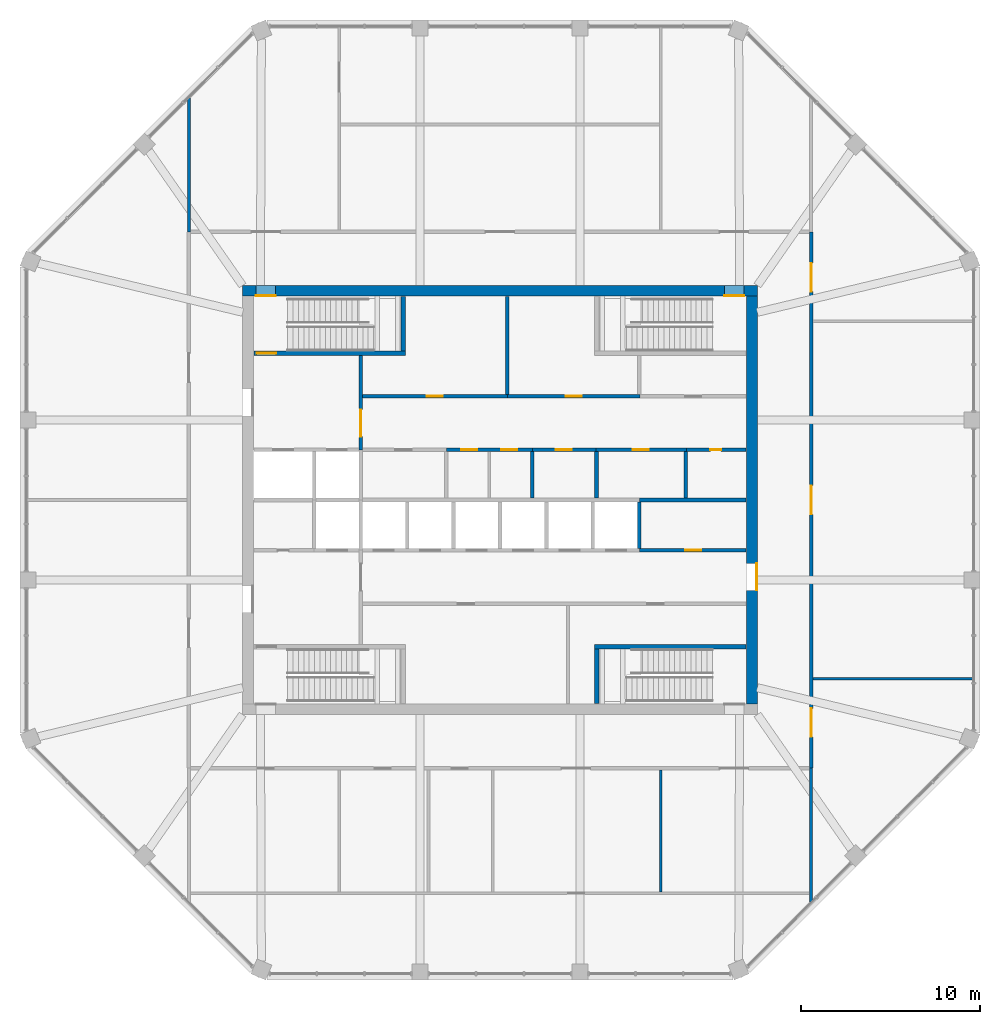
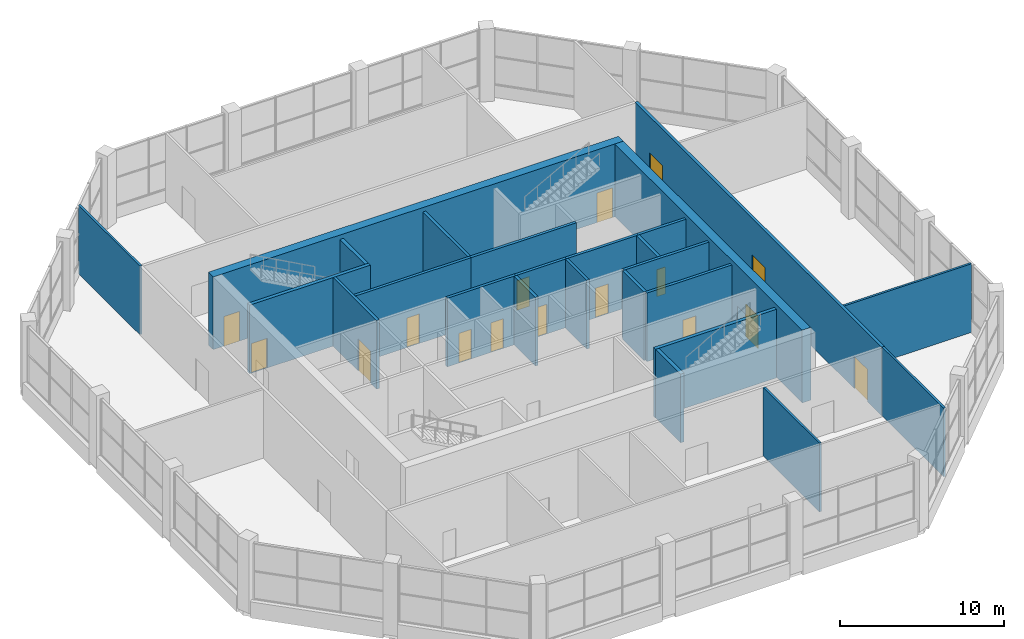
# One storey, part 13 of 15: 25 walls, 16 doors, 16 openings.
"""IFC4 building model written with IfcOpenShell, lengths in metres."""

from ifc_helpers import new_model, si_unit, direction, frame, frame_2d, origin, place, context, subcontext, project, spatial, rectangle, extrude, material, layer, layer_set, type_object, element, fill, save


model = new_model("IFC4")

# Units and contexts
model_context = context("Model", 3, precision=1e-05, world=origin(), true_north=direction((0.0, 1.0)))
body_context = subcontext(model_context, "Body", "Model", "MODEL_VIEW")
ifc_project = project(units=[si_unit("LENGTHUNIT", "METRE"), si_unit("AREAUNIT", "SQUARE_METRE"), si_unit("VOLUMEUNIT", "CUBIC_METRE"), si_unit("PLANEANGLEUNIT", "RADIAN"), si_unit("MASSUNIT", "GRAM", prefix="KILO")], contexts=[model_context])

# Site, building, storey
site_placement = place(None, origin())
site = spatial("IfcSite", under=ifc_project, at=site_placement, CompositionType="ELEMENT")
building_placement = place(site_placement, origin())
building = spatial("IfcBuilding", under=site, at=building_placement, Name="Msitu Wima Residences", CompositionType="ELEMENT")
storey_placement = place(building_placement, frame((0.0, 0.0, 314.699951171875)))
storey = spatial("IfcBuildingStorey", under=building, at=storey_placement, Name="L73", CompositionType="ELEMENT", Elevation=314.699951171875)

# Wall, openings, doors
ifc_material_1 = material(Name="Concrete C50/60", Category="concrete")
ifc_layer_1 = layer(ifc_material_1, 0.60009765625)
ifc_layer_set_1 = layer_set([ifc_layer_1], Name="Concrete C50/60")
wall_type_1 = type_object("IfcWallType", Name="Core wall CW600 C50/60", PredefinedType="SHEAR", material=ifc_layer_set_1)
wall_1_placement = place(storey_placement, frame((-14.39990234375, 11.699951171875, 0.0), z_axis=(0.0, 0.0, 1.0), x_axis=(1.0, 0.0, 0.0)))
wall_1 = element("IfcWall", 1, at=wall_1_placement, inside=storey, type_object=wall_type_1, Name="Core wall", PredefinedType="SHEAR", context=body_context, shape_type="SweptSolid", body=[
    extrude(rectangle(XDim=28.7998046875, YDim=0.60009765625, at=frame_2d((14.39990234375, 0.0))), origin(), (0.0, 0.0, 1.0), 5.400146484375),
])
opening_1_placement = place(wall_1_placement, frame((0.75, 0.0, 0.0)))
opening_1 = element("IfcOpeningElement", 2, at=opening_1_placement, cuts=wall_1, Name="Opening D73.036", PredefinedType="OPENING", context=body_context, shape_type="SweptSolid", body=[
    extrude(rectangle(XDim=1.10009765625, YDim=2.199951171875, at=frame_2d((0.550048828125, 1.10009765625))), frame((0.0, 0.31005859375, 0.0), z_axis=(0.0, -1.0, 0.0), x_axis=(1.0, 0.0, 0.0)), (0.0, 0.0, 1.0), 0.6201171875),
])
opening_2_placement = place(wall_1_placement, frame((26.949951171875, 0.0, 0.0)))
opening_2 = element("IfcOpeningElement", 3, at=opening_2_placement, cuts=wall_1, Name="Opening D73.038", PredefinedType="OPENING", context=body_context, shape_type="SweptSolid", body=[
    extrude(rectangle(XDim=1.10009765625, YDim=2.199951171875, at=frame_2d((0.550048828125, 1.10009765625))), frame((0.0, 0.31005859375, 0.0), z_axis=(0.0, -1.0, 0.0), x_axis=(1.0, 0.0, 0.0)), (0.0, 0.0, 1.0), 0.6201171875),
])
ifc_material_2 = material(Name="Steel door, fire resisting, panic bar", Category="steel")
door_type_1 = type_object("IfcDoorType", Name="Stair door D06 1100x2200", OperationType="SINGLE_SWING_LEFT", PredefinedType="DOOR", material=ifc_material_2)
door_1_placement = place(opening_1_placement, origin())
door_1 = element("IfcDoor", 4, at=door_1_placement, inside=storey, type_object=door_type_1, Name="Stair door", OperationType="SINGLE_SWING_RIGHT", OverallHeight=2.199951171875, OverallWidth=1.10009765625, PredefinedType="DOOR", context=body_context, shape_type="SweptSolid", body=[
    extrude(rectangle(XDim=1.10009765625, YDim=2.199951171875, at=frame_2d((0.550048828125, 1.10009765625))), frame((0.0, -0.2451171875, 0.0), z_axis=(0.0, -1.0, 0.0), x_axis=(1.0, 0.0, 0.0)), (0.0, 0.0, 1.0), 0.050048828125),
])
fill(opening_1, door_1)
door_2_placement = place(opening_2_placement, origin())
door_2 = element("IfcDoor", 5, at=door_2_placement, inside=storey, type_object=door_type_1, Name="Stair door", OperationType="SINGLE_SWING_LEFT", OverallHeight=2.199951171875, OverallWidth=1.10009765625, PredefinedType="DOOR", context=body_context, shape_type="SweptSolid", body=[
    extrude(rectangle(XDim=1.10009765625, YDim=2.199951171875, at=frame_2d((0.550048828125, 1.10009765625))), frame((0.0, -0.2451171875, 0.0), z_axis=(0.0, -1.0, 0.0), x_axis=(1.0, 0.0, 0.0)), (0.0, 0.0, 1.0), 0.050048828125),
])
fill(opening_2, door_2)

# Wall, opening, door
wall_2_placement = place(storey_placement, frame((14.10009765625, -11.39990234375, 0.0), z_axis=(0.0, 0.0, 1.0), x_axis=(0.0, 1.0, 0.0)))
wall_2 = element("IfcWall", 6, at=wall_2_placement, inside=storey, type_object=wall_type_1, Name="Core wall", PredefinedType="SHEAR", context=body_context, shape_type="SweptSolid", body=[
    extrude(rectangle(XDim=22.7998046875, YDim=0.60009765625, at=frame_2d((11.39990234375, 0.0))), origin(), (0.0, 0.0, 1.0), 5.400146484375),
])
opening_3_placement = place(wall_2_placement, frame((6.35009765625, 0.0, 0.0)))
opening_3 = element("IfcOpeningElement", 7, at=opening_3_placement, cuts=wall_2, Name="Opening D73.033", PredefinedType="OPENING", context=body_context, shape_type="SweptSolid", body=[
    extrude(rectangle(XDim=1.5, YDim=2.39990234375, at=frame_2d((0.75, 1.199951171875))), frame((0.0, 0.31005859375, 0.0), z_axis=(0.0, -1.0, 0.0), x_axis=(1.0, 0.0, 0.0)), (0.0, 0.0, 1.0), 0.6201171875),
])
ifc_material_3 = material(Name="Steel framed glazed door, fire resisting", Category="steel")
door_type_2 = type_object("IfcDoorType", Name="Lobby door D07 1500x2400", OperationType="DOUBLE_DOOR_SINGLE_SWING", PredefinedType="DOOR", material=ifc_material_3)
door_3_placement = place(opening_3_placement, origin())
door_3 = element("IfcDoor", 8, at=door_3_placement, inside=storey, type_object=door_type_2, Name="Lobby door", OperationType="DOUBLE_DOOR_SINGLE_SWING", OverallHeight=2.39990234375, OverallWidth=1.5, PredefinedType="DOOR", context=body_context, shape_type="SweptSolid", body=[
    extrude(rectangle(XDim=1.5, YDim=2.39990234375, at=frame_2d((0.75, 1.199951171875))), frame((0.0, -0.2451171875, 0.0), z_axis=(0.0, -1.0, 0.0), x_axis=(1.0, 0.0, 0.0)), (0.0, 0.0, 1.0), 0.050048828125),
])
fill(opening_3, door_3)

ifc_material_4 = material(Name="Plaster")
ifc_layer_2 = layer(ifc_material_4, 0.011962890625, Name="Plaster")
ifc_material_5 = material(Name="Concrete blockwork", Category="masonry")
ifc_layer_3 = layer(ifc_material_5, 0.176025390625, Name="Concrete blockwork")
ifc_layer_4 = layer(ifc_material_4, 0.011962890625, Name="Plaster")
ifc_layer_set_2 = layer_set([ifc_layer_2, ifc_layer_3, ifc_layer_4], Name="Concrete blockwork")
wall_type_2 = type_object("IfcWallType", Name="Corridor wall FW200", PredefinedType="PARTITIONING", material=ifc_layer_set_2)
wall_3_placement = place(storey_placement, frame((-7.800048828125, 2.800048828125, 0.0), z_axis=(0.0, 0.0, 1.0), x_axis=(0.0, 1.0, 0.0)))
wall_3 = element("IfcWall", 9, at=wall_3_placement, inside=storey, type_object=wall_type_2, Name="Corridor wall", PredefinedType="PARTITIONING", context=body_context, shape_type="SweptSolid", body=[
    extrude(rectangle(XDim=5.27490234375, YDim=0.199951171875, at=frame_2d((2.637451171875, 0.0))), origin(), (0.0, 0.0, 1.0), 5.10009765625),
])
opening_4_placement = place(wall_3_placement, frame((0.75, 0.0, 0.0)))
opening_4 = element("IfcOpeningElement", 10, at=opening_4_placement, cuts=wall_3, Name="Opening D73.002", PredefinedType="OPENING", context=body_context, shape_type="SweptSolid", body=[
    extrude(rectangle(XDim=1.5, YDim=2.39990234375, at=frame_2d((0.75, 1.199951171875))), frame((0.0, 0.10986328125, 0.0), z_axis=(0.0, -1.0, 0.0), x_axis=(1.0, 0.0, 0.0)), (0.0, 0.0, 1.0), 0.219970703125),
])
door_4_placement = place(opening_4_placement, origin())
door_4 = element("IfcDoor", 11, at=door_4_placement, inside=storey, type_object=door_type_2, Name="Lobby door", OperationType="DOUBLE_DOOR_SINGLE_SWING", OverallHeight=2.39990234375, OverallWidth=1.5, PredefinedType="DOOR", context=body_context, shape_type="SweptSolid", body=[
    extrude(rectangle(XDim=1.5, YDim=2.39990234375, at=frame_2d((0.75, 1.199951171875))), frame((0.0, 0.02490234375, 0.0), z_axis=(0.0, -1.0, 0.0), x_axis=(1.0, 0.0, 0.0)), (0.0, 0.0, 1.0), 0.050048828125),
])
fill(opening_4, door_4)

wall_4_placement = place(storey_placement, frame((-7.699951171875, 5.800048828125, 0.0), z_axis=(0.0, 0.0, 1.0), x_axis=(1.0, 0.0, 0.0)))
wall_4 = element("IfcWall", 12, at=wall_4_placement, inside=storey, type_object=wall_type_2, Name="Corridor wall", PredefinedType="PARTITIONING", context=body_context, shape_type="SweptSolid", body=[
    extrude(rectangle(XDim=8.119873046875, YDim=0.199951171875, at=frame_2d((4.06005859375, 0.0))), origin(), (0.0, 0.0, 1.0), 5.10009765625),
])
opening_5_placement = place(wall_4_placement, frame((3.60009765625, 0.0, 0.0)))
opening_5 = element("IfcOpeningElement", 13, at=opening_5_placement, cuts=wall_4, Name="Opening D73.004", PredefinedType="OPENING", context=body_context, shape_type="SweptSolid", body=[
    extrude(rectangle(XDim=0.89990234375, YDim=2.199951171875, at=frame_2d((0.449951171875, 1.10009765625))), frame((0.0, 0.10986328125, 0.0), z_axis=(0.0, -1.0, 0.0), x_axis=(1.0, 0.0, 0.0)), (0.0, 0.0, 1.0), 0.219970703125),
])
ifc_material_6 = material(Name="Timber flush door", Category="wood")
door_type_3 = type_object("IfcDoorType", Name="Service door D05 900x2200", OperationType="SINGLE_SWING_LEFT", PredefinedType="DOOR", material=ifc_material_6)
door_5_placement = place(opening_5_placement, origin())
door_5 = element("IfcDoor", 14, at=door_5_placement, inside=storey, type_object=door_type_3, Name="Service door", OperationType="SINGLE_SWING_LEFT", OverallHeight=2.199951171875, OverallWidth=0.89990234375, PredefinedType="DOOR", context=body_context, shape_type="SweptSolid", body=[
    extrude(rectangle(XDim=0.89990234375, YDim=2.199951171875, at=frame_2d((0.449951171875, 1.10009765625))), frame((0.0, 0.02490234375, 0.0), z_axis=(0.0, -1.0, 0.0), x_axis=(1.0, 0.0, 0.0)), (0.0, 0.0, 1.0), 0.050048828125),
])
fill(opening_5, door_5)

# Wall, openings, doors
wall_5_placement = place(storey_placement, frame((-2.97998046875, 2.800048828125, 0.0), z_axis=(0.0, 0.0, 1.0), x_axis=(1.0, 0.0, 0.0)))
wall_5 = element("IfcWall", 15, at=wall_5_placement, inside=storey, type_object=wall_type_2, Name="Corridor wall", PredefinedType="PARTITIONING", context=body_context, shape_type="SweptSolid", body=[
    extrude(rectangle(XDim=4.800048828125, YDim=0.199951171875, at=frame_2d((2.39990234375, 0.0))), origin(), (0.0, 0.0, 1.0), 5.10009765625),
])
opening_6_placement = place(wall_5_placement, frame((0.800048828125, 0.0, 0.0)))
opening_6 = element("IfcOpeningElement", 16, at=opening_6_placement, cuts=wall_5, Name="Opening D73.010", PredefinedType="OPENING", context=body_context, shape_type="SweptSolid", body=[
    extrude(rectangle(XDim=0.89990234375, YDim=2.199951171875, at=frame_2d((0.449951171875, 1.10009765625))), frame((0.0, 0.10986328125, 0.0), z_axis=(0.0, -1.0, 0.0), x_axis=(1.0, 0.0, 0.0)), (0.0, 0.0, 1.0), 0.219970703125),
])
opening_7_placement = place(wall_5_placement, frame((3.050048828125, 0.0, 0.0)))
opening_7 = element("IfcOpeningElement", 17, at=opening_7_placement, cuts=wall_5, Name="Opening D73.011", PredefinedType="OPENING", context=body_context, shape_type="SweptSolid", body=[
    extrude(rectangle(XDim=0.89990234375, YDim=2.199951171875, at=frame_2d((0.449951171875, 1.10009765625))), frame((0.0, 0.10986328125, 0.0), z_axis=(0.0, -1.0, 0.0), x_axis=(1.0, 0.0, 0.0)), (0.0, 0.0, 1.0), 0.219970703125),
])
door_6_placement = place(opening_6_placement, origin())
door_6 = element("IfcDoor", 18, at=door_6_placement, inside=storey, type_object=door_type_3, Name="Service door", OperationType="SINGLE_SWING_LEFT", OverallHeight=2.199951171875, OverallWidth=0.89990234375, PredefinedType="DOOR", context=body_context, shape_type="SweptSolid", body=[
    extrude(rectangle(XDim=0.89990234375, YDim=2.199951171875, at=frame_2d((0.449951171875, 1.10009765625))), frame((0.0, 0.02490234375, 0.0), z_axis=(0.0, -1.0, 0.0), x_axis=(1.0, 0.0, 0.0)), (0.0, 0.0, 1.0), 0.050048828125),
])
fill(opening_6, door_6)
door_7_placement = place(opening_7_placement, origin())
door_7 = element("IfcDoor", 19, at=door_7_placement, inside=storey, type_object=door_type_3, Name="Service door", OperationType="SINGLE_SWING_RIGHT", OverallHeight=2.199951171875, OverallWidth=0.89990234375, PredefinedType="DOOR", context=body_context, shape_type="SweptSolid", body=[
    extrude(rectangle(XDim=0.89990234375, YDim=2.199951171875, at=frame_2d((0.449951171875, 1.10009765625))), frame((0.0, 0.02490234375, 0.0), z_axis=(0.0, -1.0, 0.0), x_axis=(1.0, 0.0, 0.0)), (0.0, 0.0, 1.0), 0.050048828125),
])
fill(opening_7, door_7)

# Wall, opening, door
wall_6_placement = place(storey_placement, frame((5.3798828125, 2.800048828125, 0.0), z_axis=(0.0, 0.0, 1.0), x_axis=(1.0, 0.0, 0.0)))
wall_6 = element("IfcWall", 20, at=wall_6_placement, inside=storey, type_object=wall_type_2, Name="Corridor wall", PredefinedType="PARTITIONING", context=body_context, shape_type="SweptSolid", body=[
    extrude(rectangle(XDim=5.0400390625, YDim=0.199951171875, at=frame_2d((2.52001953125, 0.0))), origin(), (0.0, 0.0, 1.0), 5.10009765625),
])
opening_8_placement = place(wall_6_placement, frame((2.050048828125, 0.0, 0.0)))
opening_8 = element("IfcOpeningElement", 21, at=opening_8_placement, cuts=wall_6, Name="Opening D73.013", PredefinedType="OPENING", context=body_context, shape_type="SweptSolid", body=[
    extrude(rectangle(XDim=0.89990234375, YDim=2.199951171875, at=frame_2d((0.449951171875, 1.10009765625))), frame((0.0, 0.10986328125, 0.0), z_axis=(0.0, -1.0, 0.0), x_axis=(1.0, 0.0, 0.0)), (0.0, 0.0, 1.0), 0.219970703125),
])
door_8_placement = place(opening_8_placement, origin())
door_8 = element("IfcDoor", 22, at=door_8_placement, inside=storey, type_object=door_type_3, Name="Service door", OperationType="SINGLE_SWING_RIGHT", OverallHeight=2.199951171875, OverallWidth=0.89990234375, PredefinedType="DOOR", context=body_context, shape_type="SweptSolid", body=[
    extrude(rectangle(XDim=0.89990234375, YDim=2.199951171875, at=frame_2d((0.449951171875, 1.10009765625))), frame((0.0, 0.02490234375, 0.0), z_axis=(0.0, -1.0, 0.0), x_axis=(1.0, 0.0, 0.0)), (0.0, 0.0, 1.0), 0.050048828125),
])
fill(opening_8, door_8)

# Wall, openings, doors
wall_7_placement = place(storey_placement, frame((17.39990234375, -15.0, 0.0), z_axis=(0.0, 0.0, 1.0), x_axis=(0.0, 1.0, 0.0)))
wall_7 = element("IfcWall", 23, at=wall_7_placement, inside=storey, type_object=wall_type_2, Name="Corridor wall", PredefinedType="PARTITIONING", context=body_context, shape_type="SweptSolid", body=[
    extrude(rectangle(XDim=30.0, YDim=0.199951171875, at=frame_2d((15.0, 0.0))), origin(), (0.0, 0.0, 1.0), 5.10009765625),
])
opening_9_placement = place(wall_7_placement, frame((14.199951171875, 0.0, 0.0)))
opening_9 = element("IfcOpeningElement", 24, at=opening_9_placement, cuts=wall_7, Name="Opening D73.018", PredefinedType="OPENING", context=body_context, shape_type="SweptSolid", body=[
    extrude(rectangle(XDim=1.60009765625, YDim=2.39990234375, at=frame_2d((0.800048828125, 1.199951171875))), frame((0.0, 0.10986328125, 0.0), z_axis=(0.0, -1.0, 0.0), x_axis=(1.0, 0.0, 0.0)), (0.0, 0.0, 1.0), 0.219970703125),
])
opening_10_placement = place(wall_7_placement, frame((26.64990234375, 0.0, 0.0)))
opening_10 = element("IfcOpeningElement", 25, at=opening_10_placement, cuts=wall_7, Name="Opening D73.019", PredefinedType="OPENING", context=body_context, shape_type="SweptSolid", body=[
    extrude(rectangle(XDim=1.60009765625, YDim=2.39990234375, at=frame_2d((0.800048828125, 1.199951171875))), frame((0.0, 0.10986328125, 0.0), z_axis=(0.0, -1.0, 0.0), x_axis=(1.0, 0.0, 0.0)), (0.0, 0.0, 1.0), 0.219970703125),
])
opening_11_placement = place(wall_7_placement, frame((1.75, 0.0, 0.0)))
opening_11 = element("IfcOpeningElement", 26, at=opening_11_placement, cuts=wall_7, Name="Opening D73.020", PredefinedType="OPENING", context=body_context, shape_type="SweptSolid", body=[
    extrude(rectangle(XDim=1.60009765625, YDim=2.39990234375, at=frame_2d((0.800048828125, 1.199951171875))), frame((0.0, 0.10986328125, 0.0), z_axis=(0.0, -1.0, 0.0), x_axis=(1.0, 0.0, 0.0)), (0.0, 0.0, 1.0), 0.219970703125),
])
ifc_material_7 = material(Name="Black aluminium glazed door", Category="aluminium")
door_type_4 = type_object("IfcDoorType", Name="Amenity door D10 1600x2400", OperationType="DOUBLE_DOOR_SINGLE_SWING", PredefinedType="DOOR", material=ifc_material_7)
door_9_placement = place(opening_9_placement, origin())
door_9 = element("IfcDoor", 27, at=door_9_placement, inside=storey, type_object=door_type_4, Name="Amenity door", OperationType="DOUBLE_DOOR_SINGLE_SWING", OverallHeight=2.39990234375, OverallWidth=1.60009765625, PredefinedType="DOOR", context=body_context, shape_type="SweptSolid", body=[
    extrude(rectangle(XDim=1.60009765625, YDim=2.39990234375, at=frame_2d((0.800048828125, 1.199951171875))), frame((0.0, 0.02490234375, 0.0), z_axis=(0.0, -1.0, 0.0), x_axis=(1.0, 0.0, 0.0)), (0.0, 0.0, 1.0), 0.050048828125),
])
fill(opening_9, door_9)
door_10_placement = place(opening_10_placement, origin())
door_10 = element("IfcDoor", 28, at=door_10_placement, inside=storey, type_object=door_type_4, Name="Amenity door", OperationType="DOUBLE_DOOR_SINGLE_SWING", OverallHeight=2.39990234375, OverallWidth=1.60009765625, PredefinedType="DOOR", context=body_context, shape_type="SweptSolid", body=[
    extrude(rectangle(XDim=1.60009765625, YDim=2.39990234375, at=frame_2d((0.800048828125, 1.199951171875))), frame((0.0, 0.02490234375, 0.0), z_axis=(0.0, -1.0, 0.0), x_axis=(1.0, 0.0, 0.0)), (0.0, 0.0, 1.0), 0.050048828125),
])
fill(opening_10, door_10)
door_11_placement = place(opening_11_placement, origin())
door_11 = element("IfcDoor", 29, at=door_11_placement, inside=storey, type_object=door_type_4, Name="Amenity door", OperationType="DOUBLE_DOOR_SINGLE_SWING", OverallHeight=2.39990234375, OverallWidth=1.60009765625, PredefinedType="DOOR", context=body_context, shape_type="SweptSolid", body=[
    extrude(rectangle(XDim=1.60009765625, YDim=2.39990234375, at=frame_2d((0.800048828125, 1.199951171875))), frame((0.0, 0.02490234375, 0.0), z_axis=(0.0, -1.0, 0.0), x_axis=(1.0, 0.0, 0.0)), (0.0, 0.0, 1.0), 0.050048828125),
])
fill(opening_11, door_11)

# Walls
ifc_layer_5 = layer(ifc_material_4, 0.011962890625, Name="Plaster")
ifc_layer_6 = layer(ifc_material_5, 0.1259765625, Name="Concrete blockwork")
ifc_layer_7 = layer(ifc_material_4, 0.011962890625, Name="Plaster")
ifc_layer_set_3 = layer_set([ifc_layer_5, ifc_layer_6, ifc_layer_7], Name="Concrete blockwork")
wall_type_3 = type_object("IfcWallType", Name="Partition PW150", PredefinedType="PARTITIONING", material=ifc_layer_set_3)
wall_8_placement = place(storey_placement, frame((-17.39990234375, 15.0, 0.0), z_axis=(0.0, 0.0, 1.0), x_axis=(0.0, 1.0, 0.0)))
element("IfcWall", 30, at=wall_8_placement, inside=storey, type_object=wall_type_3, Name="Partition", PredefinedType="PARTITIONING", context=body_context, shape_type="SweptSolid", body=[
    extrude(rectangle(XDim=7.483642578125, YDim=0.14990234375, at=frame_2d((3.74169921875, 0.0))), origin(), (0.0, 0.0, 1.0), 5.10009765625),
])
wall_9_placement = place(storey_placement, frame((9.0, -21.925048828125, 0.0), z_axis=(0.0, 0.0, 1.0), x_axis=(0.0, 1.0, 0.0)))
element("IfcWall", 31, at=wall_9_placement, inside=storey, type_object=wall_type_3, Name="Partition", PredefinedType="PARTITIONING", context=body_context, shape_type="SweptSolid", body=[
    extrude(rectangle(XDim=6.824951171875, YDim=0.14990234375, at=frame_2d((3.41259765625, 0.0))), origin(), (0.0, 0.0, 1.0), 5.10009765625),
])
wall_10_placement = place(storey_placement, frame((17.39990234375, -22.483642578125, 0.0), z_axis=(0.0, 0.0, 1.0), x_axis=(0.0, 1.0, 0.0)))
element("IfcWall", 32, at=wall_10_placement, inside=storey, type_object=wall_type_3, Name="Partition", PredefinedType="PARTITIONING", context=body_context, shape_type="SweptSolid", body=[
    extrude(rectangle(XDim=7.483642578125, YDim=0.14990234375, at=frame_2d((3.74169921875, 0.0))), origin(), (0.0, 0.0, 1.0), 5.10009765625),
])
wall_11_placement = place(storey_placement, frame((17.5, -10.0, 0.0), z_axis=(0.0, 0.0, 1.0), x_axis=(1.0, 0.0, 0.0)))
element("IfcWall", 33, at=wall_11_placement, inside=storey, type_object=wall_type_3, Name="Partition", PredefinedType="PARTITIONING", context=body_context, shape_type="SweptSolid", body=[
    extrude(rectangle(XDim=8.955078125, YDim=0.14990234375, at=frame_2d((4.4775390625, 0.0))), origin(), (0.0, 0.0, 1.0), 5.10009765625),
])

# Wall, opening, door
ifc_layer_8 = layer(ifc_material_4, 0.011962890625, Name="Plaster")
ifc_material_8 = material(Name="Reinforced concrete blockwork", Category="masonry")
ifc_layer_9 = layer(ifc_material_8, 0.176025390625, Name="Reinforced concrete blockwork")
ifc_layer_10 = layer(ifc_material_4, 0.011962890625, Name="Plaster")
ifc_layer_set_4 = layer_set([ifc_layer_8, ifc_layer_9, ifc_layer_10], Name="Reinforced concrete blockwork")
wall_type_4 = type_object("IfcWallType", Name="Plant and riser wall PL200", PredefinedType="PARTITIONING", material=ifc_layer_set_4)
wall_12_placement = place(storey_placement, frame((0.419921875, 5.800048828125, 0.0), z_axis=(0.0, 0.0, 1.0), x_axis=(1.0, 0.0, 0.0)))
wall_12 = element("IfcWall", 34, at=wall_12_placement, inside=storey, type_object=wall_type_4, Name="Plant and riser wall", PredefinedType="PARTITIONING", context=body_context, shape_type="SweptSolid", body=[
    extrude(rectangle(XDim=7.400146484375, YDim=0.199951171875, at=frame_2d((3.7001953125, 0.0))), origin(), (0.0, 0.0, 1.0), 5.10009765625),
])
opening_12_placement = place(wall_12_placement, frame((3.25, 0.0, 0.0)))
opening_12 = element("IfcOpeningElement", 35, at=opening_12_placement, cuts=wall_12, Name="Opening D73.005", PredefinedType="OPENING", context=body_context, shape_type="SweptSolid", body=[
    extrude(rectangle(XDim=0.89990234375, YDim=2.199951171875, at=frame_2d((0.449951171875, 1.10009765625))), frame((0.0, 0.10986328125, 0.0), z_axis=(0.0, -1.0, 0.0), x_axis=(1.0, 0.0, 0.0)), (0.0, 0.0, 1.0), 0.219970703125),
])
door_12_placement = place(opening_12_placement, origin())
door_12 = element("IfcDoor", 36, at=door_12_placement, inside=storey, type_object=door_type_3, Name="Service door", OperationType="SINGLE_SWING_RIGHT", OverallHeight=2.199951171875, OverallWidth=0.89990234375, PredefinedType="DOOR", context=body_context, shape_type="SweptSolid", body=[
    extrude(rectangle(XDim=0.89990234375, YDim=2.199951171875, at=frame_2d((0.449951171875, 1.10009765625))), frame((0.0, 0.02490234375, 0.0), z_axis=(0.0, -1.0, 0.0), x_axis=(1.0, 0.0, 0.0)), (0.0, 0.0, 1.0), 0.050048828125),
])
fill(opening_12, door_12)

# Wall
wall_13_placement = place(storey_placement, frame((0.39990234375, 5.89990234375, 0.0), z_axis=(0.0, 0.0, 1.0), x_axis=(0.0, 1.0, 0.0)))
element("IfcWall", 37, at=wall_13_placement, inside=storey, type_object=wall_type_4, Name="Plant and riser wall", PredefinedType="PARTITIONING", context=body_context, shape_type="SweptSolid", body=[
    extrude(rectangle(XDim=5.47021484375, YDim=0.199951171875, at=frame_2d((2.735107421875, 0.0))), origin(), (0.0, 0.0, 1.0), 5.10009765625),
])

# Wall, opening, door
wall_14_placement = place(storey_placement, frame((1.820068359375, 2.800048828125, 0.0), z_axis=(0.0, 0.0, 1.0), x_axis=(1.0, 0.0, 0.0)))
wall_14 = element("IfcWall", 38, at=wall_14_placement, inside=storey, type_object=wall_type_4, Name="Plant and riser wall", PredefinedType="PARTITIONING", context=body_context, shape_type="SweptSolid", body=[
    extrude(rectangle(XDim=3.559814453125, YDim=0.199951171875, at=frame_2d((1.77978515625, 0.0))), origin(), (0.0, 0.0, 1.0), 5.10009765625),
])
opening_13_placement = place(wall_14_placement, frame((1.300048828125, 0.0, 0.0)))
opening_13 = element("IfcOpeningElement", 39, at=opening_13_placement, cuts=wall_14, Name="Opening D73.012", PredefinedType="OPENING", context=body_context, shape_type="SweptSolid", body=[
    extrude(rectangle(XDim=0.89990234375, YDim=2.199951171875, at=frame_2d((0.449951171875, 1.10009765625))), frame((0.0, 0.10986328125, 0.0), z_axis=(0.0, -1.0, 0.0), x_axis=(1.0, 0.0, 0.0)), (0.0, 0.0, 1.0), 0.219970703125),
])
door_13_placement = place(opening_13_placement, origin())
door_13 = element("IfcDoor", 40, at=door_13_placement, inside=storey, type_object=door_type_3, Name="Service door", OperationType="SINGLE_SWING_RIGHT", OverallHeight=2.199951171875, OverallWidth=0.89990234375, PredefinedType="DOOR", context=body_context, shape_type="SweptSolid", body=[
    extrude(rectangle(XDim=0.89990234375, YDim=2.199951171875, at=frame_2d((0.449951171875, 1.10009765625))), frame((0.0, 0.02490234375, 0.0), z_axis=(0.0, -1.0, 0.0), x_axis=(1.0, 0.0, 0.0)), (0.0, 0.0, 1.0), 0.050048828125),
])
fill(opening_13, door_13)

# Walls
for number, where, z_axis, x_axis, name in (
    (41, (1.800048828125, 0.10009765625, 0.0), (0.0, 0.0, 1.0), (0.0, 1.0, 0.0), "Plant and riser wall"),
    (42, (5.39990234375, 0.10009765625, 0.0), (0.0, 0.0, 1.0), (0.0, 1.0, 0.0), "Plant and riser wall"),
):
    element("IfcWall", number, at=place(storey_placement, frame(where, z_axis=z_axis, x_axis=x_axis)), inside=storey, type_object=wall_type_4, Name=name, PredefinedType="PARTITIONING", context=body_context, shape_type="SweptSolid", body=[
        extrude(rectangle(XDim=2.599853515625, YDim=0.199951171875, at=frame_2d((1.2998046875, 0.0))), origin(), (0.0, 0.0, 1.0), 5.10009765625),
    ])

# Wall, opening, door
wall_15_placement = place(storey_placement, frame((7.800048828125, -2.800048828125, 0.0), z_axis=(0.0, 0.0, 1.0), x_axis=(1.0, 0.0, 0.0)))
wall_15 = element("IfcWall", 43, at=wall_15_placement, inside=storey, type_object=wall_type_4, Name="Plant and riser wall", PredefinedType="PARTITIONING", context=body_context, shape_type="SweptSolid", body=[
    extrude(rectangle(XDim=5.969970703125, YDim=0.199951171875, at=frame_2d((2.98486328125, 0.0))), origin(), (0.0, 0.0, 1.0), 5.10009765625),
])
opening_14_placement = place(wall_15_placement, frame((2.550048828125, 0.0, 0.0)))
opening_14 = element("IfcOpeningElement", 44, at=opening_14_placement, cuts=wall_15, Name="Opening D73.001", PredefinedType="OPENING", context=body_context, shape_type="SweptSolid", body=[
    extrude(rectangle(XDim=0.89990234375, YDim=2.199951171875, at=frame_2d((0.449951171875, 1.10009765625))), frame((0.0, 0.10986328125, 0.0), z_axis=(0.0, -1.0, 0.0), x_axis=(1.0, 0.0, 0.0)), (0.0, 0.0, 1.0), 0.219970703125),
])
door_14_placement = place(opening_14_placement, origin())
door_14 = element("IfcDoor", 45, at=door_14_placement, inside=storey, type_object=door_type_3, Name="Service door", OperationType="SINGLE_SWING_LEFT", OverallHeight=2.199951171875, OverallWidth=0.89990234375, PredefinedType="DOOR", context=body_context, shape_type="SweptSolid", body=[
    extrude(rectangle(XDim=0.89990234375, YDim=2.199951171875, at=frame_2d((0.449951171875, 1.10009765625))), frame((0.0, 0.02490234375, 0.0), z_axis=(0.0, -1.0, 0.0), x_axis=(1.0, 0.0, 0.0)), (0.0, 0.0, 1.0), 0.050048828125),
])
fill(opening_14, door_14)

# Wall
wall_16_placement = place(storey_placement, frame((7.800048828125, 0.0, 0.0), z_axis=(0.0, 0.0, 1.0), x_axis=(1.0, 0.0, 0.0)))
element("IfcWall", 46, at=wall_16_placement, inside=storey, type_object=wall_type_4, Name="Plant and riser wall", PredefinedType="PARTITIONING", context=body_context, shape_type="SweptSolid", body=[
    extrude(rectangle(XDim=5.969970703125, YDim=0.199951171875, at=frame_2d((2.98486328125, 0.0))), origin(), (0.0, 0.0, 1.0), 5.10009765625),
])

# Wall, opening, door
wall_17_placement = place(storey_placement, frame((10.419921875, 2.800048828125, 0.0), z_axis=(0.0, 0.0, 1.0), x_axis=(1.0, 0.0, 0.0)))
wall_17 = element("IfcWall", 47, at=wall_17_placement, inside=storey, type_object=wall_type_4, Name="Plant and riser wall", PredefinedType="PARTITIONING", context=body_context, shape_type="SweptSolid", body=[
    extrude(rectangle(XDim=3.35009765625, YDim=0.199951171875, at=frame_2d((1.675048828125, 0.0))), origin(), (0.0, 0.0, 1.0), 5.10009765625),
])
opening_15_placement = place(wall_17_placement, frame((1.35009765625, 0.0, 0.0)))
opening_15 = element("IfcOpeningElement", 48, at=opening_15_placement, cuts=wall_17, Name="Opening D73.014", PredefinedType="OPENING", context=body_context, shape_type="SweptSolid", body=[
    extrude(rectangle(XDim=0.60009765625, YDim=2.0, at=frame_2d((0.300048828125, 1.0))), frame((0.0, 0.10986328125, 0.0), z_axis=(0.0, -1.0, 0.0), x_axis=(1.0, 0.0, 0.0)), (0.0, 0.0, 1.0), 0.219970703125),
])
ifc_material_9 = material(Name="Steel access door, fire resisting", Category="steel")
door_type_5 = type_object("IfcDoorType", Name="Riser access door D08 600x2000", OperationType="SINGLE_SWING_LEFT", PredefinedType="DOOR", material=ifc_material_9)
door_15_placement = place(opening_15_placement, origin())
door_15 = element("IfcDoor", 49, at=door_15_placement, inside=storey, type_object=door_type_5, Name="Riser access door", OperationType="SINGLE_SWING_RIGHT", OverallHeight=2.0, OverallWidth=0.60009765625, PredefinedType="DOOR", context=body_context, shape_type="SweptSolid", body=[
    extrude(rectangle(XDim=0.60009765625, YDim=2.0, at=frame_2d((0.300048828125, 1.0))), frame((0.0, 0.02490234375, 0.0), z_axis=(0.0, -1.0, 0.0), x_axis=(1.0, 0.0, 0.0)), (0.0, 0.0, 1.0), 0.050048828125),
])
fill(opening_15, door_15)

# Walls
wall_18_placement = place(storey_placement, frame((10.39990234375, 0.10009765625, 0.0), z_axis=(0.0, 0.0, 1.0), x_axis=(0.0, 1.0, 0.0)))
element("IfcWall", 50, at=wall_18_placement, inside=storey, type_object=wall_type_4, Name="Plant and riser wall", PredefinedType="PARTITIONING", context=body_context, shape_type="SweptSolid", body=[
    extrude(rectangle(XDim=2.599853515625, YDim=0.199951171875, at=frame_2d((1.2998046875, 0.0))), origin(), (0.0, 0.0, 1.0), 5.10009765625),
])
ifc_material_10 = material(Name="Fire-rated board")
ifc_layer_11 = layer(ifc_material_10, 0.02490234375, Name="Fire-rated board")
ifc_material_11 = material(Name="Light-gauge stud framing with mineral wool")
ifc_layer_12 = layer(ifc_material_11, 0.14990234375, Name="Light-gauge stud framing with mineral wool")
ifc_layer_13 = layer(ifc_material_10, 0.02490234375, Name="Fire-rated board")
ifc_layer_set_5 = layer_set([ifc_layer_11, ifc_layer_12, ifc_layer_13], Name="Light-gauge stud framing with mineral wool")
wall_type_5 = type_object("IfcWallType", Name="Shaft wall SH200", PredefinedType="PARTITIONING", material=ifc_layer_set_5)
wall_19_placement = place(storey_placement, frame((7.800048828125, -2.699951171875, 0.0), z_axis=(0.0, 0.0, 1.0), x_axis=(0.0, 1.0, 0.0)))
element("IfcWall", 51, at=wall_19_placement, inside=storey, type_object=wall_type_5, Name="Shaft wall", PredefinedType="PARTITIONING", context=body_context, shape_type="SweptSolid", body=[
    extrude(rectangle(XDim=2.599853515625, YDim=0.199951171875, at=frame_2d((1.2998046875, 0.0))), origin(), (0.0, 0.0, 1.0), 5.10009765625),
])

# Wall, opening, door
ifc_layer_14 = layer(ifc_material_1, 0.25)
ifc_layer_set_6 = layer_set([ifc_layer_14], Name="Concrete C50/60")
wall_type_6 = type_object("IfcWallType", Name="Stair enclosure wall SW250", PredefinedType="SHEAR", material=ifc_layer_set_6)
wall_20_placement = place(storey_placement, frame((-13.77001953125, 8.199951171875, 0.0), z_axis=(0.0, 0.0, 1.0), x_axis=(1.0, 0.0, 0.0)))
wall_20 = element("IfcWall", 52, at=wall_20_placement, inside=storey, type_object=wall_type_6, Name="Stair enclosure wall", PredefinedType="SHEAR", context=body_context, shape_type="SweptSolid", body=[
    extrude(rectangle(XDim=8.4951171875, YDim=0.25, at=frame_2d((4.24755859375, 0.0))), origin(), (0.0, 0.0, 1.0), 5.10009765625),
])
opening_16_placement = place(wall_20_placement, frame((0.14990234375, 0.0, 0.0)))
opening_16 = element("IfcOpeningElement", 53, at=opening_16_placement, cuts=wall_20, Name="Opening D73.016", PredefinedType="OPENING", context=body_context, shape_type="SweptSolid", body=[
    extrude(rectangle(XDim=1.10009765625, YDim=2.199951171875, at=frame_2d((0.550048828125, 1.10009765625))), frame((0.0, 0.135009765625, 0.0), z_axis=(0.0, -1.0, 0.0), x_axis=(1.0, 0.0, 0.0)), (0.0, 0.0, 1.0), 0.27001953125),
])
door_16_placement = place(opening_16_placement, origin())
door_16 = element("IfcDoor", 54, at=door_16_placement, inside=storey, type_object=door_type_1, Name="Stair door", OperationType="SINGLE_SWING_LEFT", OverallHeight=2.199951171875, OverallWidth=1.10009765625, PredefinedType="DOOR", context=body_context, shape_type="SweptSolid", body=[
    extrude(rectangle(XDim=1.10009765625, YDim=2.199951171875, at=frame_2d((0.550048828125, 1.10009765625))), frame((0.0, 0.02490234375, 0.0), z_axis=(0.0, -1.0, 0.0), x_axis=(1.0, 0.0, 0.0)), (0.0, 0.0, 1.0), 0.050048828125),
])
fill(opening_16, door_16)

# Walls
for number, where, z_axis, x_axis, name in (
    (55, (-5.39990234375, 8.324951171875, 0.0), (0.0, 0.0, 1.0), (0.0, 1.0, 0.0), "Stair enclosure wall"),
    (56, (5.39990234375, -11.3701171875, 0.0), (0.0, 0.0, 1.0), (0.0, 1.0, 0.0), "Stair enclosure wall"),
):
    element("IfcWall", number, at=place(storey_placement, frame(where, z_axis=z_axis, x_axis=x_axis)), inside=storey, type_object=wall_type_6, Name=name, PredefinedType="SHEAR", context=body_context, shape_type="SweptSolid", body=[
        extrude(rectangle(XDim=3.045166015625, YDim=0.25, at=frame_2d((1.5224609375, 0.0))), origin(), (0.0, 0.0, 1.0), 5.10009765625),
    ])
wall_21_placement = place(storey_placement, frame((5.27490234375, -8.199951171875, 0.0), z_axis=(0.0, 0.0, 1.0), x_axis=(1.0, 0.0, 0.0)))
element("IfcWall", 57, at=wall_21_placement, inside=storey, type_object=wall_type_6, Name="Stair enclosure wall", PredefinedType="SHEAR", context=body_context, shape_type="SweptSolid", body=[
    extrude(rectangle(XDim=8.4951171875, YDim=0.25, at=frame_2d((4.24755859375, 0.0))), origin(), (0.0, 0.0, 1.0), 5.10009765625),
])

save(model, "model.ifc")
